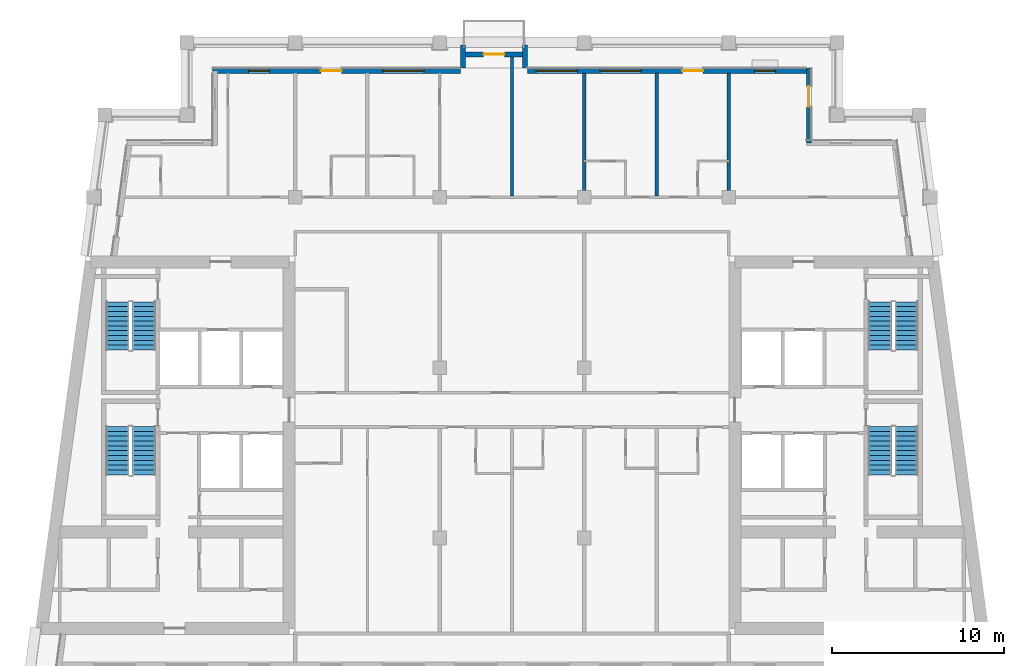
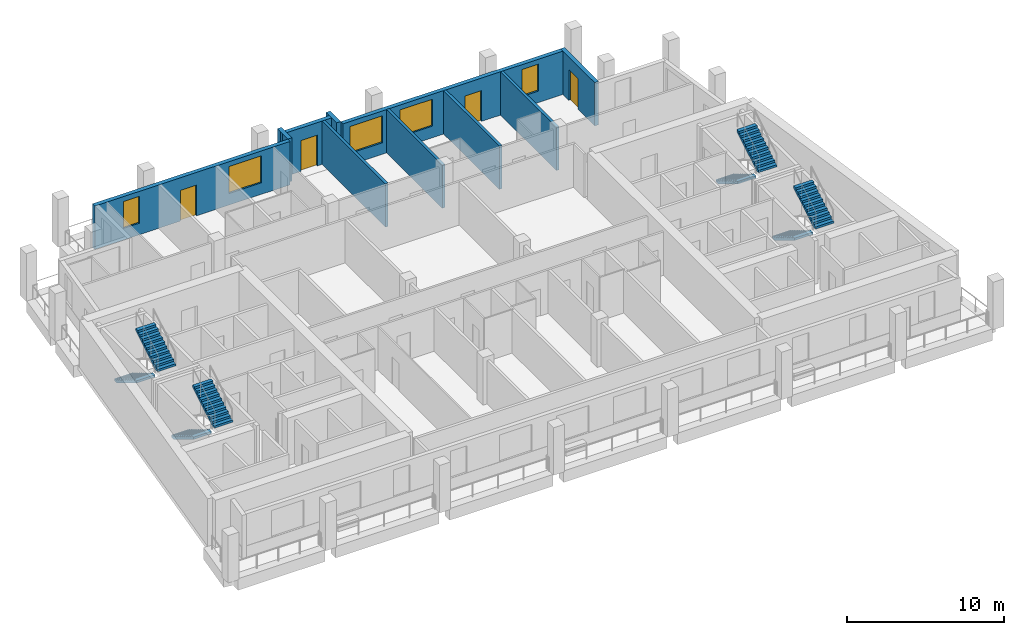
# One storey, part 7 of 14: 10 walls, 8 stair flights, 5 windows, 4 doors, 9 openings, 4 elements without a shape of their own.
"""IFC4 building model written with IfcOpenShell, lengths in metres."""

from ifc_helpers import new_model, si_unit, direction, frame, frame_2d, origin, place, context, subcontext, project, spatial, polyline, rectangle, outline, extrude, material, layer, layer_set, type_object, element, fill, aggregate, save


model = new_model("IFC4")

# Units and contexts
model_context = context("Model", 3, precision=1e-05, world=origin(), true_north=direction((0.0, 1.0)))
body_context = subcontext(model_context, "Body", "Model", "MODEL_VIEW")
ifc_project = project(units=[si_unit("LENGTHUNIT", "METRE"), si_unit("AREAUNIT", "SQUARE_METRE"), si_unit("VOLUMEUNIT", "CUBIC_METRE"), si_unit("PLANEANGLEUNIT", "RADIAN"), si_unit("MASSUNIT", "GRAM", prefix="KILO")], contexts=[model_context])

# Site, building, storey
site_placement = place(None, origin())
site = spatial("IfcSite", under=ifc_project, at=site_placement, CompositionType="ELEMENT")
building_placement = place(site_placement, origin())
building = spatial("IfcBuilding", under=site, at=building_placement, Name="Candeia Pilgrim Tower and Theatre", CompositionType="ELEMENT")
storey_placement = place(building_placement, frame((0.0, 0.0, 273.800048828125)))
storey = spatial("IfcBuildingStorey", under=building, at=storey_placement, Name="L66", CompositionType="ELEMENT", Elevation=273.800048828125)

# Wall, opening, door
ifc_material_1 = material(Name="Ceramic block masonry", Category="masonry")
ifc_layer_1 = layer(ifc_material_1, 0.300048828125)
ifc_layer_set_1 = layer_set([ifc_layer_1], Name="EW1 glazing-line wall 300")
wall_type_1 = type_object("IfcWallType", Name="EW1 glazing-line wall 300", PredefinedType="SOLIDWALL", material=ifc_layer_set_1)
wall_1_placement = place(storey_placement, frame((130.64990234375, 138.949951171875, 0.0), z_axis=(0.0, 0.0, 1.0), x_axis=(0.0, 1.0, 0.0)))
wall_1 = element("IfcWall", 1, at=wall_1_placement, inside=storey, type_object=wall_type_1, Name="External wall L66-4.0", PredefinedType="SOLIDWALL", context=body_context, shape_type="SweptSolid", body=[
    extrude(rectangle(XDim=4.35009765625, YDim=0.300048828125, at=frame_2d((2.175048828125, 0.0))), origin(), (0.0, 0.0, 1.0), 3.3798828125),
])
opening_1_placement = place(wall_1_placement, frame((2.10009765625, 0.0, 0.0)))
opening_1 = element("IfcOpeningElement", 2, at=opening_1_placement, cuts=wall_1, Name="Opening L66-ED624", PredefinedType="OPENING", context=body_context, shape_type="SweptSolid", body=[
    extrude(rectangle(XDim=1.199951171875, YDim=2.39990234375, at=frame_2d((0.60009765625, 1.199951171875))), frame((0.0, 0.16015625, 0.0), z_axis=(0.0, -1.0, 0.0), x_axis=(1.0, 0.0, 0.0)), (0.0, 0.0, 1.0), 0.320068359375),
])
ifc_material_2 = material(Name="Aluminium framed glazed door", Category="aluminium")
door_type = type_object("IfcDoorType", Name="Loggia door 1200x2400", OperationType="DOUBLE_DOOR_SINGLE_SWING", PredefinedType="DOOR", material=ifc_material_2)
door_1_placement = place(opening_1_placement, origin())
door_1 = element("IfcDoor", 3, at=door_1_placement, inside=storey, type_object=door_type, Name="Loggia door L66-ED624", OperationType="DOUBLE_DOOR_SINGLE_SWING", OverallHeight=2.39990234375, OverallWidth=1.199951171875, PredefinedType="DOOR", context=body_context, shape_type="SweptSolid", body=[
    extrude(rectangle(XDim=1.199951171875, YDim=2.39990234375, at=frame_2d((0.60009765625, 1.199951171875))), frame((0.0, 0.02490234375, 0.0), z_axis=(0.0, -1.0, 0.0), x_axis=(1.0, 0.0, 0.0)), (0.0, 0.0, 1.0), 0.050048828125),
])
fill(opening_1, door_1)

# Wall, openings, door, windows
wall_2_placement = place(storey_placement, frame((130.64990234375, 143.14990234375, 0.0), z_axis=(0.0, 0.0, 1.0), x_axis=(-1.0, 0.0, 0.0)))
wall_2 = element("IfcWall", 4, at=wall_2_placement, inside=storey, type_object=wall_type_1, Name="External wall L66-5.0", PredefinedType="SOLIDWALL", context=body_context, shape_type="SweptSolid", body=[
    extrude(rectangle(XDim=16.349853515625, YDim=0.300048828125, at=frame_2d((8.1748046875, 0.0))), origin(), (0.0, 0.0, 1.0), 3.3798828125),
])
opening_2_placement = place(wall_2_placement, frame((1.949951171875, 0.0, 0.89990234375)))
opening_2 = element("IfcOpeningElement", 5, at=opening_2_placement, cuts=wall_2, Name="Opening W-B", PredefinedType="OPENING", context=body_context, shape_type="SweptSolid", body=[
    extrude(rectangle(XDim=1.199951171875, YDim=2.10009765625, at=frame_2d((0.60009765625, 1.050048828125))), frame((0.0, 0.16015625, 0.0), z_axis=(0.0, -1.0, 0.0), x_axis=(1.0, 0.0, 0.0)), (0.0, 0.0, 1.0), 0.320068359375),
])
opening_3_placement = place(wall_2_placement, frame((6.14990234375, 0.0, 0.0)))
opening_3 = element("IfcOpeningElement", 6, at=opening_3_placement, cuts=wall_2, Name="Opening L66-ED625", PredefinedType="OPENING", context=body_context, shape_type="SweptSolid", body=[
    extrude(rectangle(XDim=1.199951171875, YDim=2.39990234375, at=frame_2d((0.60009765625, 1.199951171875))), frame((0.0, 0.16015625, 0.0), z_axis=(0.0, -1.0, 0.0), x_axis=(1.0, 0.0, 0.0)), (0.0, 0.0, 1.0), 0.320068359375),
])
opening_4_placement = place(wall_2_placement, frame((9.75, 0.0, 0.89990234375)))
opening_4 = element("IfcOpeningElement", 7, at=opening_4_placement, cuts=wall_2, Name="Opening W-A", PredefinedType="OPENING", context=body_context, shape_type="SweptSolid", body=[
    extrude(rectangle(XDim=2.39990234375, YDim=2.10009765625, at=frame_2d((1.199951171875, 1.050048828125))), frame((0.0, 0.16015625, 0.0), z_axis=(0.0, -1.0, 0.0), x_axis=(1.0, 0.0, 0.0)), (0.0, 0.0, 1.0), 0.320068359375),
])
opening_5_placement = place(wall_2_placement, frame((13.449951171875, 0.0, 0.89990234375)))
opening_5 = element("IfcOpeningElement", 8, at=opening_5_placement, cuts=wall_2, Name="Opening W-A", PredefinedType="OPENING", context=body_context, shape_type="SweptSolid", body=[
    extrude(rectangle(XDim=2.39990234375, YDim=2.10009765625, at=frame_2d((1.199951171875, 1.050048828125))), frame((0.0, 0.16015625, 0.0), z_axis=(0.0, -1.0, 0.0), x_axis=(1.0, 0.0, 0.0)), (0.0, 0.0, 1.0), 0.320068359375),
])
door_2_placement = place(opening_3_placement, origin())
door_2 = element("IfcDoor", 9, at=door_2_placement, inside=storey, type_object=door_type, Name="Loggia door L66-ED625", OperationType="DOUBLE_DOOR_SINGLE_SWING", OverallHeight=2.39990234375, OverallWidth=1.199951171875, PredefinedType="DOOR", context=body_context, shape_type="SweptSolid", body=[
    extrude(rectangle(XDim=1.199951171875, YDim=2.39990234375, at=frame_2d((0.60009765625, 1.199951171875))), frame((0.0, 0.02490234375, 0.0), z_axis=(0.0, -1.0, 0.0), x_axis=(1.0, 0.0, 0.0)), (0.0, 0.0, 1.0), 0.050048828125),
])
fill(opening_3, door_2)
ifc_material_3 = material(Name="Aluminium framed double glazing", Category="aluminium")
window_type_1 = type_object("IfcWindowType", Name="W-A window 2400x2100", PartitioningType="DOUBLE_PANEL_VERTICAL", PredefinedType="WINDOW", material=ifc_material_3)
window_1_placement = place(opening_4_placement, origin())
window_1 = element("IfcWindow", 10, at=window_1_placement, inside=storey, type_object=window_type_1, Name="Window W-A L66", OverallHeight=2.10009765625, OverallWidth=2.39990234375, PartitioningType="SINGLE_PANEL", PredefinedType="WINDOW", context=body_context, shape_type="SweptSolid", body=[
    extrude(rectangle(XDim=2.39990234375, YDim=2.10009765625, at=frame_2d((1.199951171875, 1.050048828125))), frame((0.0, 0.030029296875, 0.0), z_axis=(0.0, -1.0, 0.0), x_axis=(1.0, 0.0, 0.0)), (0.0, 0.0, 1.0), 0.06005859375),
])
fill(opening_4, window_1)
window_2_placement = place(opening_5_placement, origin())
window_2 = element("IfcWindow", 11, at=window_2_placement, inside=storey, type_object=window_type_1, Name="Window W-A L66", OverallHeight=2.10009765625, OverallWidth=2.39990234375, PartitioningType="SINGLE_PANEL", PredefinedType="WINDOW", context=body_context, shape_type="SweptSolid", body=[
    extrude(rectangle(XDim=2.39990234375, YDim=2.10009765625, at=frame_2d((1.199951171875, 1.050048828125))), frame((0.0, 0.030029296875, 0.0), z_axis=(0.0, -1.0, 0.0), x_axis=(1.0, 0.0, 0.0)), (0.0, 0.0, 1.0), 0.06005859375),
])
fill(opening_5, window_2)
window_type_2 = type_object("IfcWindowType", Name="W-B window 1200x2100", PartitioningType="SINGLE_PANEL", PredefinedType="WINDOW", material=ifc_material_3)
window_3_placement = place(opening_2_placement, origin())
window_3 = element("IfcWindow", 12, at=window_3_placement, inside=storey, type_object=window_type_2, Name="Window W-B L66", OverallHeight=2.10009765625, OverallWidth=1.199951171875, PartitioningType="SINGLE_PANEL", PredefinedType="WINDOW", context=body_context, shape_type="SweptSolid", body=[
    extrude(rectangle(XDim=1.199951171875, YDim=2.10009765625, at=frame_2d((0.60009765625, 1.050048828125))), frame((0.0, 0.030029296875, 0.0), z_axis=(0.0, -1.0, 0.0), x_axis=(1.0, 0.0, 0.0)), (0.0, 0.0, 1.0), 0.06005859375),
])
fill(opening_2, window_3)

wall_3_placement = place(storey_placement, frame((110.39990234375, 143.14990234375, 0.0), z_axis=(0.0, 0.0, 1.0), x_axis=(-1.0, 0.0, 0.0)))
wall_3 = element("IfcWall", 13, at=wall_3_placement, inside=storey, type_object=wall_type_1, Name="External wall L66-5.1", PredefinedType="SOLIDWALL", context=body_context, shape_type="SweptSolid", body=[
    extrude(rectangle(XDim=14.39990234375, YDim=0.300048828125, at=frame_2d((7.199951171875, 0.0))), origin(), (0.0, 0.0, 1.0), 3.3798828125),
])
opening_6_placement = place(wall_3_placement, frame((2.10009765625, 0.0, 0.89990234375)))
opening_6 = element("IfcOpeningElement", 14, at=opening_6_placement, cuts=wall_3, Name="Opening W-A", PredefinedType="OPENING", context=body_context, shape_type="SweptSolid", body=[
    extrude(rectangle(XDim=2.39990234375, YDim=2.10009765625, at=frame_2d((1.199951171875, 1.050048828125))), frame((0.0, 0.16015625, 0.0), z_axis=(0.0, -1.0, 0.0), x_axis=(1.0, 0.0, 0.0)), (0.0, 0.0, 1.0), 0.320068359375),
])
opening_7_placement = place(wall_3_placement, frame((6.89990234375, 0.0, 0.0)))
opening_7 = element("IfcOpeningElement", 15, at=opening_7_placement, cuts=wall_3, Name="Opening L66-ED626", PredefinedType="OPENING", context=body_context, shape_type="SweptSolid", body=[
    extrude(rectangle(XDim=1.199951171875, YDim=2.39990234375, at=frame_2d((0.60009765625, 1.199951171875))), frame((0.0, 0.16015625, 0.0), z_axis=(0.0, -1.0, 0.0), x_axis=(1.0, 0.0, 0.0)), (0.0, 0.0, 1.0), 0.320068359375),
])
opening_8_placement = place(wall_3_placement, frame((11.10009765625, 0.0, 0.89990234375)))
opening_8 = element("IfcOpeningElement", 16, at=opening_8_placement, cuts=wall_3, Name="Opening W-B", PredefinedType="OPENING", context=body_context, shape_type="SweptSolid", body=[
    extrude(rectangle(XDim=1.199951171875, YDim=2.10009765625, at=frame_2d((0.60009765625, 1.050048828125))), frame((0.0, 0.16015625, 0.0), z_axis=(0.0, -1.0, 0.0), x_axis=(1.0, 0.0, 0.0)), (0.0, 0.0, 1.0), 0.320068359375),
])
door_3_placement = place(opening_7_placement, origin())
door_3 = element("IfcDoor", 17, at=door_3_placement, inside=storey, type_object=door_type, Name="Loggia door L66-ED626", OperationType="DOUBLE_DOOR_SINGLE_SWING", OverallHeight=2.39990234375, OverallWidth=1.199951171875, PredefinedType="DOOR", context=body_context, shape_type="SweptSolid", body=[
    extrude(rectangle(XDim=1.199951171875, YDim=2.39990234375, at=frame_2d((0.60009765625, 1.199951171875))), frame((0.0, 0.02490234375, 0.0), z_axis=(0.0, -1.0, 0.0), x_axis=(1.0, 0.0, 0.0)), (0.0, 0.0, 1.0), 0.050048828125),
])
fill(opening_7, door_3)
window_4_placement = place(opening_6_placement, origin())
window_4 = element("IfcWindow", 18, at=window_4_placement, inside=storey, type_object=window_type_1, Name="Window W-A L66", OverallHeight=2.10009765625, OverallWidth=2.39990234375, PartitioningType="SINGLE_PANEL", PredefinedType="WINDOW", context=body_context, shape_type="SweptSolid", body=[
    extrude(rectangle(XDim=2.39990234375, YDim=2.10009765625, at=frame_2d((1.199951171875, 1.050048828125))), frame((0.0, 0.030029296875, 0.0), z_axis=(0.0, -1.0, 0.0), x_axis=(1.0, 0.0, 0.0)), (0.0, 0.0, 1.0), 0.06005859375),
])
fill(opening_6, window_4)
window_5_placement = place(opening_8_placement, origin())
window_5 = element("IfcWindow", 19, at=window_5_placement, inside=storey, type_object=window_type_2, Name="Window W-B L66", OverallHeight=2.10009765625, OverallWidth=1.199951171875, PartitioningType="SINGLE_PANEL", PredefinedType="WINDOW", context=body_context, shape_type="SweptSolid", body=[
    extrude(rectangle(XDim=1.199951171875, YDim=2.10009765625, at=frame_2d((0.60009765625, 1.050048828125))), frame((0.0, 0.030029296875, 0.0), z_axis=(0.0, -1.0, 0.0), x_axis=(1.0, 0.0, 0.0)), (0.0, 0.0, 1.0), 0.06005859375),
])
fill(opening_8, window_5)

# Walls
ifc_layer_2 = layer(ifc_material_1, 0.300048828125)
ifc_layer_set_2 = layer_set([ifc_layer_2], Name="EW2 entrance infill wall 300")
wall_type_2 = type_object("IfcWallType", Name="EW2 entrance infill wall 300", PredefinedType="SOLIDWALL", material=ifc_layer_set_2)
for number, where, z_axis, x_axis, name in (
    (20, (114.14990234375, 143.300048828125, 0.0), (0.0, 0.0, 1.0), (0.0, 1.0, 0.0), "Alcove wall L66"),
    (21, (110.550048828125, 143.300048828125, 0.0), (0.0, 0.0, 1.0), (0.0, 1.0, 0.0), "Alcove wall L66"),
):
    element("IfcWall", number, at=place(storey_placement, frame(where, z_axis=z_axis, x_axis=x_axis)), inside=storey, type_object=wall_type_2, Name=name, PredefinedType="SOLIDWALL", context=body_context, shape_type="SweptSolid", body=[
        extrude(rectangle(XDim=1.349853515625, YDim=0.300048828125, at=frame_2d((0.6748046875, 0.0))), origin(), (0.0, 0.0, 1.0), 3.3798828125),
    ])

# Wall, opening, door
wall_4_placement = place(storey_placement, frame((114.300048828125, 144.10009765625, 0.0), z_axis=(0.0, 0.0, 1.0), x_axis=(-1.0, 0.0, 0.0)))
wall_4 = element("IfcWall", 22, at=wall_4_placement, inside=storey, type_object=wall_type_2, Name="Alcove wall L66", PredefinedType="SOLIDWALL", context=body_context, shape_type="SweptSolid", body=[
    extrude(rectangle(XDim=3.900146484375, YDim=0.300048828125, at=frame_2d((1.9501953125, 0.0))), origin(), (0.0, 0.0, 1.0), 3.3798828125),
])
opening_9_placement = place(wall_4_placement, frame((1.35009765625, 0.0, 0.0)))
opening_9 = element("IfcOpeningElement", 23, at=opening_9_placement, cuts=wall_4, Name="Opening L66-ED627", PredefinedType="OPENING", context=body_context, shape_type="SweptSolid", body=[
    extrude(rectangle(XDim=1.199951171875, YDim=2.39990234375, at=frame_2d((0.60009765625, 1.199951171875))), frame((0.0, 0.16015625, 0.0), z_axis=(0.0, -1.0, 0.0), x_axis=(1.0, 0.0, 0.0)), (0.0, 0.0, 1.0), 0.320068359375),
])
door_4_placement = place(opening_9_placement, origin())
door_4 = element("IfcDoor", 24, at=door_4_placement, inside=storey, type_object=door_type, Name="Balcony door L66-ED627", OperationType="DOUBLE_DOOR_SINGLE_SWING", OverallHeight=2.39990234375, OverallWidth=1.199951171875, PredefinedType="DOOR", context=body_context, shape_type="SweptSolid", body=[
    extrude(rectangle(XDim=1.199951171875, YDim=2.39990234375, at=frame_2d((0.60009765625, 1.199951171875))), frame((0.0, 0.02490234375, 0.0), z_axis=(0.0, -1.0, 0.0), x_axis=(1.0, 0.0, 0.0)), (0.0, 0.0, 1.0), 0.050048828125),
])
fill(opening_9, door_4)

# Walls
ifc_material_4 = material(Name="Gypsum board partition on steel studs", Category="steel")
ifc_layer_3 = layer(ifc_material_4, 0.199951171875)
ifc_layer_set_3 = layer_set([ifc_layer_3], Name="PW-200 party wall")
wall_type_3 = type_object("IfcWallType", Name="PW-200 party wall", PredefinedType="PARTITIONING", material=ifc_layer_set_3)
wall_5_placement = place(storey_placement, frame((113.39990234375, 135.875, 0.0), z_axis=(0.0, 0.0, 1.0), x_axis=(0.0, 1.0, 0.0)))
element("IfcWall", 25, at=wall_5_placement, inside=storey, type_object=wall_type_3, Name="Party wall L66-075", PredefinedType="PARTITIONING", context=body_context, shape_type="SweptSolid", body=[
    extrude(rectangle(XDim=8.0849609375, YDim=0.199951171875, at=frame_2d((4.04248046875, 0.0))), origin(), (0.0, 0.0, 1.0), 3.3798828125),
])
for number, where, z_axis, x_axis, name in (
    (26, (117.60009765625, 135.875, 0.0), (0.0, 0.0, 1.0), (0.0, 1.0, 0.0), "Party wall L66-079"),
    (27, (121.800048828125, 135.875, 0.0), (0.0, 0.0, 1.0), (0.0, 1.0, 0.0), "Party wall L66-083"),
    (28, (126.0, 135.875, 0.0), (0.0, 0.0, 1.0), (0.0, 1.0, 0.0), "Party wall L66-087"),
):
    element("IfcWall", number, at=place(storey_placement, frame(where, z_axis=z_axis, x_axis=x_axis)), inside=storey, type_object=wall_type_3, Name=name, PredefinedType="PARTITIONING", context=body_context, shape_type="SweptSolid", body=[
        extrude(rectangle(XDim=7.135009765625, YDim=0.199951171875, at=frame_2d((3.5673828125, 0.0))), origin(), (0.0, 0.0, 1.0), 3.3798828125),
    ])

# Stair, stair flights
ifc_material_5 = material(Name="Concrete C40/50", Category="concrete")
stair_type = type_object("IfcStairType", Name="ST-TWR dog-leg escape stair", PredefinedType="HALF_TURN_STAIR", material=ifc_material_5)
stair_1_placement = place(storey_placement, origin())
stair_1 = element("IfcStair", 29, at=stair_1_placement, inside=storey, type_object=stair_type, Name="L66 Escape stair ST1", PredefinedType="HALF_TURN_STAIR")
stair_flight_type = type_object("IfcStairFlightType", Name="SFL-RC stair flight", PredefinedType="STRAIGHT", material=ifc_material_5)
stair_flight_1_placement = place(storey_placement, frame((90.47705078125, 122.47509765625, 0.0), z_axis=(0.0, 0.0, 1.0), x_axis=(0.0, -1.0, 0.0)))
stair_flight_1 = element("IfcStairFlight", 30, at=stair_flight_1_placement, type_object=stair_flight_type, Name="ST1 flight 1", NumberOfRisers=11, NumberOfTreads=10, PredefinedType="STRAIGHT", RiserHeight=0.168181818, TreadLength=0.28, context=body_context, shape_type="SweptSolid", body=[
    extrude(outline(polyline([(0.0, 0.0), (0.0, 0.168212890625), (0.280029296875, 0.168212890625), (0.280029296875, 0.33642578125), (0.56005859375, 0.33642578125), (0.56005859375, 0.504638671875), (0.840087890625, 0.504638671875), (0.840087890625, 0.672607421875), (1.1201171875, 0.672607421875), (1.1201171875, 0.8408203125), (1.39990234375, 0.8408203125), (1.39990234375, 1.009033203125), (1.679931640625, 1.009033203125), (1.679931640625, 1.17724609375), (1.9599609375, 1.17724609375), (1.9599609375, 1.345458984375), (2.239990234375, 1.345458984375), (2.239990234375, 1.513671875), (2.52001953125, 1.513671875), (2.52001953125, 1.681884765625), (2.800048828125, 1.681884765625), (2.800048828125, 1.85009765625), (2.800048828125, 1.5068359375), (0.291015625, 0.0), (0.0, 0.0)])), frame((0.0, 0.675048828125, 0.0), z_axis=(0.0, -1.0, 0.0), x_axis=(1.0, 0.0, 0.0)), (0.0, 0.0, 1.0), 1.35009765625),
])
stair_flight_2_placement = place(storey_placement, frame((92.027099609375, 119.675048828125, 1.849853515625), z_axis=(0.0, 0.0, 1.0), x_axis=(0.0, 1.0, 0.0)))
stair_flight_2 = element("IfcStairFlight", 31, at=stair_flight_2_placement, type_object=stair_flight_type, Name="ST1 flight 2", NumberOfRisers=11, NumberOfTreads=10, PredefinedType="STRAIGHT", RiserHeight=0.168181818, TreadLength=0.28, context=body_context, shape_type="SweptSolid", body=[
    extrude(outline(polyline([(0.0, 0.0), (0.0, 0.168212890625), (0.280029296875, 0.168212890625), (0.280029296875, 0.33642578125), (0.56005859375, 0.33642578125), (0.56005859375, 0.504638671875), (0.840087890625, 0.504638671875), (0.840087890625, 0.672607421875), (1.1201171875, 0.672607421875), (1.1201171875, 0.8408203125), (1.39990234375, 0.8408203125), (1.39990234375, 1.009033203125), (1.679931640625, 1.009033203125), (1.679931640625, 1.17724609375), (1.9599609375, 1.17724609375), (1.9599609375, 1.345458984375), (2.239990234375, 1.345458984375), (2.239990234375, 1.513671875), (2.52001953125, 1.513671875), (2.52001953125, 1.681884765625), (2.800048828125, 1.681884765625), (2.800048828125, 1.85009765625), (2.800048828125, 1.5068359375), (0.291015625, 0.0), (0.0, 0.0)])), frame((0.0, 0.675048828125, 0.0), z_axis=(0.0, -1.0, 0.0), x_axis=(1.0, 0.0, 0.0)), (0.0, 0.0, 1.0), 1.35009765625),
])
aggregate(stair_1, [stair_flight_1, stair_flight_2])

stair_2_placement = place(storey_placement, origin())
stair_2 = element("IfcStair", 32, at=stair_2_placement, inside=storey, type_object=stair_type, Name="L66 Escape stair ST2", PredefinedType="HALF_TURN_STAIR")
stair_flight_3_placement = place(storey_placement, frame((90.47705078125, 129.72509765625, 0.0), z_axis=(0.0, 0.0, 1.0), x_axis=(0.0, -1.0, 0.0)))
stair_flight_3 = element("IfcStairFlight", 33, at=stair_flight_3_placement, type_object=stair_flight_type, Name="ST2 flight 1", NumberOfRisers=11, NumberOfTreads=10, PredefinedType="STRAIGHT", RiserHeight=0.168181818, TreadLength=0.28, context=body_context, shape_type="SweptSolid", body=[
    extrude(outline(polyline([(0.0, 0.0), (0.0, 0.168212890625), (0.280029296875, 0.168212890625), (0.280029296875, 0.33642578125), (0.56005859375, 0.33642578125), (0.56005859375, 0.504638671875), (0.840087890625, 0.504638671875), (0.840087890625, 0.672607421875), (1.1201171875, 0.672607421875), (1.1201171875, 0.8408203125), (1.39990234375, 0.8408203125), (1.39990234375, 1.009033203125), (1.679931640625, 1.009033203125), (1.679931640625, 1.17724609375), (1.9599609375, 1.17724609375), (1.9599609375, 1.345458984375), (2.239990234375, 1.345458984375), (2.239990234375, 1.513671875), (2.52001953125, 1.513671875), (2.52001953125, 1.681884765625), (2.800048828125, 1.681884765625), (2.800048828125, 1.85009765625), (2.800048828125, 1.5068359375), (0.291015625, 0.0), (0.0, 0.0)])), frame((0.0, 0.675048828125, 0.0), z_axis=(0.0, -1.0, 0.0), x_axis=(1.0, 0.0, 0.0)), (0.0, 0.0, 1.0), 1.35009765625),
])
stair_flight_4_placement = place(storey_placement, frame((92.027099609375, 126.925048828125, 1.849853515625), z_axis=(0.0, 0.0, 1.0), x_axis=(0.0, 1.0, 0.0)))
stair_flight_4 = element("IfcStairFlight", 34, at=stair_flight_4_placement, type_object=stair_flight_type, Name="ST2 flight 2", NumberOfRisers=11, NumberOfTreads=10, PredefinedType="STRAIGHT", RiserHeight=0.168181818, TreadLength=0.28, context=body_context, shape_type="SweptSolid", body=[
    extrude(outline(polyline([(0.0, 0.0), (0.0, 0.168212890625), (0.280029296875, 0.168212890625), (0.280029296875, 0.33642578125), (0.56005859375, 0.33642578125), (0.56005859375, 0.504638671875), (0.840087890625, 0.504638671875), (0.840087890625, 0.672607421875), (1.1201171875, 0.672607421875), (1.1201171875, 0.8408203125), (1.39990234375, 0.8408203125), (1.39990234375, 1.009033203125), (1.679931640625, 1.009033203125), (1.679931640625, 1.17724609375), (1.9599609375, 1.17724609375), (1.9599609375, 1.345458984375), (2.239990234375, 1.345458984375), (2.239990234375, 1.513671875), (2.52001953125, 1.513671875), (2.52001953125, 1.681884765625), (2.800048828125, 1.681884765625), (2.800048828125, 1.85009765625), (2.800048828125, 1.5068359375), (0.291015625, 0.0), (0.0, 0.0)])), frame((0.0, 0.675048828125, 0.0), z_axis=(0.0, -1.0, 0.0), x_axis=(1.0, 0.0, 0.0)), (0.0, 0.0, 1.0), 1.35009765625),
])
aggregate(stair_2, [stair_flight_3, stair_flight_4])

stair_3_placement = place(storey_placement, origin())
stair_3 = element("IfcStair", 35, at=stair_3_placement, inside=storey, type_object=stair_type, Name="L66 Escape stair ST3", PredefinedType="HALF_TURN_STAIR")
stair_flight_5_placement = place(storey_placement, frame((134.77294921875, 122.47509765625, 0.0), z_axis=(0.0, 0.0, 1.0), x_axis=(0.0, -1.0, 0.0)))
stair_flight_5 = element("IfcStairFlight", 36, at=stair_flight_5_placement, type_object=stair_flight_type, Name="ST3 flight 1", NumberOfRisers=11, NumberOfTreads=10, PredefinedType="STRAIGHT", RiserHeight=0.168181818, TreadLength=0.28, context=body_context, shape_type="SweptSolid", body=[
    extrude(outline(polyline([(0.0, 0.0), (0.0, 0.168212890625), (0.280029296875, 0.168212890625), (0.280029296875, 0.33642578125), (0.56005859375, 0.33642578125), (0.56005859375, 0.504638671875), (0.840087890625, 0.504638671875), (0.840087890625, 0.672607421875), (1.1201171875, 0.672607421875), (1.1201171875, 0.8408203125), (1.39990234375, 0.8408203125), (1.39990234375, 1.009033203125), (1.679931640625, 1.009033203125), (1.679931640625, 1.17724609375), (1.9599609375, 1.17724609375), (1.9599609375, 1.345458984375), (2.239990234375, 1.345458984375), (2.239990234375, 1.513671875), (2.52001953125, 1.513671875), (2.52001953125, 1.681884765625), (2.800048828125, 1.681884765625), (2.800048828125, 1.85009765625), (2.800048828125, 1.5068359375), (0.291015625, 0.0), (0.0, 0.0)])), frame((0.0, 0.675048828125, 0.0), z_axis=(0.0, -1.0, 0.0), x_axis=(1.0, 0.0, 0.0)), (0.0, 0.0, 1.0), 1.35009765625),
])
stair_flight_6_placement = place(storey_placement, frame((136.322998046875, 119.675048828125, 1.849853515625), z_axis=(0.0, 0.0, 1.0), x_axis=(0.0, 1.0, 0.0)))
stair_flight_6 = element("IfcStairFlight", 37, at=stair_flight_6_placement, type_object=stair_flight_type, Name="ST3 flight 2", NumberOfRisers=11, NumberOfTreads=10, PredefinedType="STRAIGHT", RiserHeight=0.168181818, TreadLength=0.28, context=body_context, shape_type="SweptSolid", body=[
    extrude(outline(polyline([(0.0, 0.0), (0.0, 0.168212890625), (0.280029296875, 0.168212890625), (0.280029296875, 0.33642578125), (0.56005859375, 0.33642578125), (0.56005859375, 0.504638671875), (0.840087890625, 0.504638671875), (0.840087890625, 0.672607421875), (1.1201171875, 0.672607421875), (1.1201171875, 0.8408203125), (1.39990234375, 0.8408203125), (1.39990234375, 1.009033203125), (1.679931640625, 1.009033203125), (1.679931640625, 1.17724609375), (1.9599609375, 1.17724609375), (1.9599609375, 1.345458984375), (2.239990234375, 1.345458984375), (2.239990234375, 1.513671875), (2.52001953125, 1.513671875), (2.52001953125, 1.681884765625), (2.800048828125, 1.681884765625), (2.800048828125, 1.85009765625), (2.800048828125, 1.5068359375), (0.291015625, 0.0), (0.0, 0.0)])), frame((0.0, 0.675048828125, 0.0), z_axis=(0.0, -1.0, 0.0), x_axis=(1.0, 0.0, 0.0)), (0.0, 0.0, 1.0), 1.35009765625),
])
aggregate(stair_3, [stair_flight_5, stair_flight_6])

stair_4_placement = place(storey_placement, origin())
stair_4 = element("IfcStair", 38, at=stair_4_placement, inside=storey, type_object=stair_type, Name="L66 Escape stair ST4", PredefinedType="HALF_TURN_STAIR")
stair_flight_7_placement = place(storey_placement, frame((134.77294921875, 129.72509765625, 0.0), z_axis=(0.0, 0.0, 1.0), x_axis=(0.0, -1.0, 0.0)))
stair_flight_7 = element("IfcStairFlight", 39, at=stair_flight_7_placement, type_object=stair_flight_type, Name="ST4 flight 1", NumberOfRisers=11, NumberOfTreads=10, PredefinedType="STRAIGHT", RiserHeight=0.168181818, TreadLength=0.28, context=body_context, shape_type="SweptSolid", body=[
    extrude(outline(polyline([(0.0, 0.0), (0.0, 0.168212890625), (0.280029296875, 0.168212890625), (0.280029296875, 0.33642578125), (0.56005859375, 0.33642578125), (0.56005859375, 0.504638671875), (0.840087890625, 0.504638671875), (0.840087890625, 0.672607421875), (1.1201171875, 0.672607421875), (1.1201171875, 0.8408203125), (1.39990234375, 0.8408203125), (1.39990234375, 1.009033203125), (1.679931640625, 1.009033203125), (1.679931640625, 1.17724609375), (1.9599609375, 1.17724609375), (1.9599609375, 1.345458984375), (2.239990234375, 1.345458984375), (2.239990234375, 1.513671875), (2.52001953125, 1.513671875), (2.52001953125, 1.681884765625), (2.800048828125, 1.681884765625), (2.800048828125, 1.85009765625), (2.800048828125, 1.5068359375), (0.291015625, 0.0), (0.0, 0.0)])), frame((0.0, 0.675048828125, 0.0), z_axis=(0.0, -1.0, 0.0), x_axis=(1.0, 0.0, 0.0)), (0.0, 0.0, 1.0), 1.35009765625),
])
stair_flight_8_placement = place(storey_placement, frame((136.322998046875, 126.925048828125, 1.849853515625), z_axis=(0.0, 0.0, 1.0), x_axis=(0.0, 1.0, 0.0)))
stair_flight_8 = element("IfcStairFlight", 40, at=stair_flight_8_placement, type_object=stair_flight_type, Name="ST4 flight 2", NumberOfRisers=11, NumberOfTreads=10, PredefinedType="STRAIGHT", RiserHeight=0.168181818, TreadLength=0.28, context=body_context, shape_type="SweptSolid", body=[
    extrude(outline(polyline([(0.0, 0.0), (0.0, 0.168212890625), (0.280029296875, 0.168212890625), (0.280029296875, 0.33642578125), (0.56005859375, 0.33642578125), (0.56005859375, 0.504638671875), (0.840087890625, 0.504638671875), (0.840087890625, 0.672607421875), (1.1201171875, 0.672607421875), (1.1201171875, 0.8408203125), (1.39990234375, 0.8408203125), (1.39990234375, 1.009033203125), (1.679931640625, 1.009033203125), (1.679931640625, 1.17724609375), (1.9599609375, 1.17724609375), (1.9599609375, 1.345458984375), (2.239990234375, 1.345458984375), (2.239990234375, 1.513671875), (2.52001953125, 1.513671875), (2.52001953125, 1.681884765625), (2.800048828125, 1.681884765625), (2.800048828125, 1.85009765625), (2.800048828125, 1.5068359375), (0.291015625, 0.0), (0.0, 0.0)])), frame((0.0, 0.675048828125, 0.0), z_axis=(0.0, -1.0, 0.0), x_axis=(1.0, 0.0, 0.0)), (0.0, 0.0, 1.0), 1.35009765625),
])
aggregate(stair_4, [stair_flight_7, stair_flight_8])

save(model, "model.ifc")
